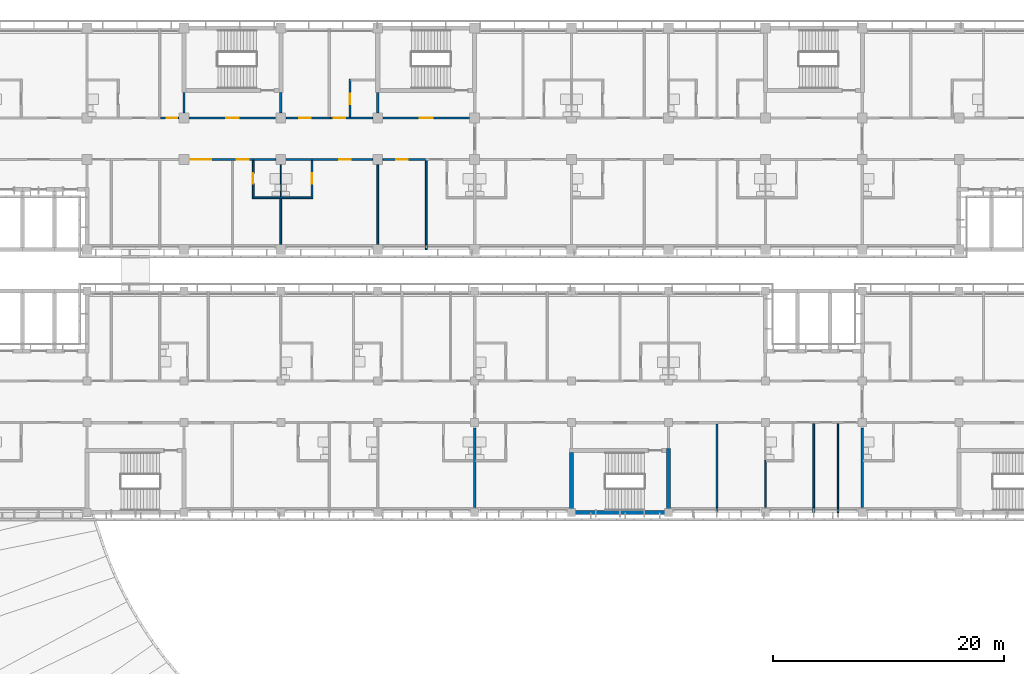
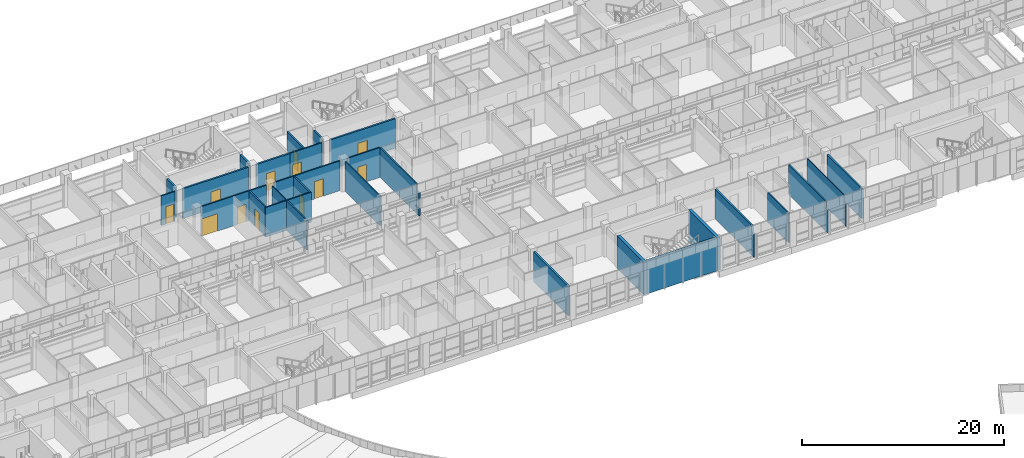
# One storey, part 34 of 74: 32 walls, 12 doors, 12 openings.
"""IFC4 building model written with IfcOpenShell, lengths in metres."""

from ifc_helpers import new_model, si_unit, direction, frame, frame_2d, origin, place, context, subcontext, project, spatial, rectangle, extrude, material, layer, layer_set, type_object, element, fill, save


model = new_model("IFC4")

# Units and contexts
model_context = context("Model", 3, precision=1e-05, world=origin(), true_north=direction((0.0, 1.0)))
body_context = subcontext(model_context, "Body", "Model", "MODEL_VIEW")
ifc_project = project(units=[si_unit("LENGTHUNIT", "METRE"), si_unit("AREAUNIT", "SQUARE_METRE"), si_unit("VOLUMEUNIT", "CUBIC_METRE"), si_unit("PLANEANGLEUNIT", "RADIAN"), si_unit("MASSUNIT", "GRAM", prefix="KILO")], contexts=[model_context])

# Site, building, storey
site_placement = place(None, origin())
site = spatial("IfcSite", under=ifc_project, at=site_placement, CompositionType="ELEMENT")
building_placement = place(site_placement, origin())
building = spatial("IfcBuilding", under=site, at=building_placement, Name="Bougainvillea Quay General Hospital", CompositionType="ELEMENT")
storey_placement = place(building_placement, frame((0.0, 0.0, 21.0)))
storey = spatial("IfcBuildingStorey", under=building, at=storey_placement, Name="L04", CompositionType="ELEMENT", Elevation=21.0)

# Walls
ifc_material_1 = material(Name="Gypsum board partition on steel studs", Category="steel")
ifc_layer_1 = layer(ifc_material_1, 0.10009765625)
ifc_layer_set_1 = layer_set([ifc_layer_1], Name="Gypsum board partition on steel studs")
wall_type_1 = type_object("IfcWallType", Name="Partition 100 Gypsum board partition", PredefinedType="PARTITIONING", material=ifc_layer_set_1)
wall_1_placement = place(storey_placement, frame((140.699951171875, 117.60009765625, 0.0), z_axis=(0.0, 0.0, 1.0), x_axis=(0.0, 1.0, 0.0)))
element("IfcWall", 1, at=wall_1_placement, inside=storey, type_object=wall_type_1, Name="Partition 100 mm", PredefinedType="PARTITIONING", context=body_context, shape_type="SweptSolid", body=[
    extrude(rectangle(XDim=0.449951171875, YDim=0.10009765625, at=frame_2d((0.22509765625, 0.0))), origin(), (0.0, 0.0, 1.0), 2.780029296875),
])
wall_2_placement = place(storey_placement, frame((140.699951171875, 118.050048828125, 0.0), z_axis=(0.0, 0.0, 1.0), x_axis=(0.0, 1.0, 0.0)))
element("IfcWall", 2, at=wall_2_placement, inside=storey, type_object=wall_type_1, Name="Partition 100 mm", PredefinedType="PARTITIONING", context=body_context, shape_type="SweptSolid", body=[
    extrude(rectangle(XDim=7.27490234375, YDim=0.10009765625, at=frame_2d((3.637451171875, 0.0))), origin(), (0.0, 0.0, 1.0), 3.60009765625),
])
wall_3_placement = place(storey_placement, frame((92.39990234375, 144.97509765625, 0.0), z_axis=(0.0, 0.0, 1.0), x_axis=(0.0, 1.0, 0.0)))
element("IfcWall", 3, at=wall_3_placement, inside=storey, type_object=wall_type_1, Name="Partition 100 mm", PredefinedType="PARTITIONING", context=body_context, shape_type="SweptSolid", body=[
    extrude(rectangle(XDim=2.77490234375, YDim=0.10009765625, at=frame_2d((1.387451171875, 0.0))), origin(), (0.0, 0.0, 1.0), 3.60009765625),
])
ifc_material_2 = material(Name="Gypsum board partition on steel studs, insulated", Category="steel")
ifc_layer_2 = layer(ifc_material_2, 0.14990234375)
ifc_layer_set_2 = layer_set([ifc_layer_2], Name="Gypsum board partition on steel studs, insulated")
wall_type_2 = type_object("IfcWallType", Name="Partition 150 Gypsum board partition", PredefinedType="PARTITIONING", material=ifc_layer_set_2)
wall_4_placement = place(storey_placement, frame((138.60009765625, 117.60009765625, 0.0), z_axis=(0.0, 0.0, 1.0), x_axis=(0.0, 1.0, 0.0)))
element("IfcWall", 4, at=wall_4_placement, inside=storey, type_object=wall_type_2, Name="Partition 150 mm", PredefinedType="PARTITIONING", context=body_context, shape_type="SweptSolid", body=[
    extrude(rectangle(XDim=0.449951171875, YDim=0.14990234375, at=frame_2d((0.22509765625, 0.0))), origin(), (0.0, 0.0, 1.0), 2.780029296875),
])
wall_5_placement = place(storey_placement, frame((138.60009765625, 118.050048828125, 0.0), z_axis=(0.0, 0.0, 1.0), x_axis=(0.0, 1.0, 0.0)))
element("IfcWall", 5, at=wall_5_placement, inside=storey, type_object=wall_type_2, Name="Partition 150 mm", PredefinedType="PARTITIONING", context=body_context, shape_type="SweptSolid", body=[
    extrude(rectangle(XDim=7.27490234375, YDim=0.14990234375, at=frame_2d((3.637451171875, 0.0))), origin(), (0.0, 0.0, 1.0), 3.60009765625),
])
wall_6_placement = place(storey_placement, frame((100.800048828125, 140.85009765625, 0.0), z_axis=(0.0, 0.0, 1.0), x_axis=(0.0, 1.0, 0.0)))
element("IfcWall", 6, at=wall_6_placement, inside=storey, type_object=wall_type_2, Name="Partition 150 mm", PredefinedType="PARTITIONING", context=body_context, shape_type="SweptSolid", body=[
    extrude(rectangle(XDim=6.89990234375, YDim=0.14990234375, at=frame_2d((3.449951171875, 0.0))), origin(), (0.0, 0.0, 1.0), 3.60009765625),
])
wall_7_placement = place(storey_placement, frame((105.0, 140.39990234375, 0.0), z_axis=(0.0, 0.0, 1.0), x_axis=(0.0, 1.0, 0.0)))
element("IfcWall", 7, at=wall_7_placement, inside=storey, type_object=wall_type_2, Name="Partition 150 mm", PredefinedType="PARTITIONING", context=body_context, shape_type="SweptSolid", body=[
    extrude(rectangle(XDim=0.4501953125, YDim=0.14990234375, at=frame_2d((0.22509765625, 0.0))), origin(), (0.0, 0.0, 1.0), 2.780029296875),
])
wall_8_placement = place(storey_placement, frame((105.0, 140.85009765625, 0.0), z_axis=(0.0, 0.0, 1.0), x_axis=(0.0, 1.0, 0.0)))
element("IfcWall", 8, at=wall_8_placement, inside=storey, type_object=wall_type_2, Name="Partition 150 mm", PredefinedType="PARTITIONING", context=body_context, shape_type="SweptSolid", body=[
    extrude(rectangle(XDim=7.27490234375, YDim=0.14990234375, at=frame_2d((3.637451171875, 0.0))), origin(), (0.0, 0.0, 1.0), 3.60009765625),
])
wall_9_placement = place(storey_placement, frame((89.925048828125, 144.89990234375, 0.0), z_axis=(0.0, 0.0, 1.0), x_axis=(1.0, 0.0, 0.0)))
element("IfcWall", 9, at=wall_9_placement, inside=storey, type_object=wall_type_2, Name="Partition 150 mm", PredefinedType="PARTITIONING", context=body_context, shape_type="SweptSolid", body=[
    extrude(rectangle(XDim=5.25, YDim=0.14990234375, at=frame_2d((2.625, 0.0))), origin(), (0.0, 0.0, 1.0), 3.60009765625),
])
wall_10_placement = place(storey_placement, frame((92.39990234375, 140.85009765625, 0.0), z_axis=(0.0, 0.0, 1.0), x_axis=(0.0, 1.0, 0.0)))
element("IfcWall", 10, at=wall_10_placement, inside=storey, type_object=wall_type_2, Name="Partition 150 mm", PredefinedType="PARTITIONING", context=body_context, shape_type="SweptSolid", body=[
    extrude(rectangle(XDim=3.974853515625, YDim=0.14990234375, at=frame_2d((1.9873046875, 0.0))), origin(), (0.0, 0.0, 1.0), 3.60009765625),
])
wall_11_placement = place(storey_placement, frame((134.39990234375, 118.050048828125, 0.0), z_axis=(0.0, 0.0, 1.0), x_axis=(0.0, 1.0, 0.0)))
element("IfcWall", 11, at=wall_11_placement, inside=storey, type_object=wall_type_2, Name="Partition 150 mm", PredefinedType="PARTITIONING", context=body_context, shape_type="SweptSolid", body=[
    extrude(rectangle(XDim=4.125, YDim=0.14990234375, at=frame_2d((2.0625, 0.0))), origin(), (0.0, 0.0, 1.0), 3.60009765625),
])

# Wall, opening, door
wall_12_placement = place(storey_placement, frame((90.0, 144.97509765625, 0.0), z_axis=(0.0, 0.0, 1.0), x_axis=(0.0, 1.0, 0.0)))
wall_12 = element("IfcWall", 12, at=wall_12_placement, inside=storey, type_object=wall_type_2, Name="Partition 150 mm", PredefinedType="PARTITIONING", context=body_context, shape_type="SweptSolid", body=[
    extrude(rectangle(XDim=3.14990234375, YDim=0.14990234375, at=frame_2d((1.574951171875, 0.0))), origin(), (0.0, 0.0, 1.0), 3.60009765625),
])
opening_1_placement = place(wall_12_placement, frame((1.125, 0.0, 0.0)))
opening_1 = element("IfcOpeningElement", 13, at=opening_1_placement, cuts=wall_12, Name="Opening L04.022", PredefinedType="OPENING", context=body_context, shape_type="SweptSolid", body=[
    extrude(rectangle(XDim=0.89990234375, YDim=2.10009765625, at=frame_2d((0.449951171875, 1.050048828125))), frame((0.0, 0.0849609375, 0.0), z_axis=(0.0, -1.0, 0.0), x_axis=(1.0, 0.0, 0.0)), (0.0, 0.0, 1.0), 0.169921875),
])
ifc_material_3 = material(Name="Solid-core timber door leaf in steel frame", Category="steel")
door_type_1 = type_object("IfcDoorType", Name="Single leaf door 900x2100", OperationType="NOTDEFINED", PredefinedType="DOOR", material=ifc_material_3)
door_1_placement = place(opening_1_placement, frame((0.89990234375, 0.0, 0.0), z_axis=(0.0, 0.0, 1.0), x_axis=(-1.0, 0.0, 0.0)))
door_1 = element("IfcDoor", 14, at=door_1_placement, inside=storey, type_object=door_type_1, Name="DT07 L04.022", OperationType="SINGLE_SWING_LEFT", OverallHeight=2.10009765625, OverallWidth=0.89990234375, PredefinedType="DOOR", context=body_context, shape_type="SweptSolid", body=[
    extrude(rectangle(XDim=0.89990234375, YDim=2.10009765625, at=frame_2d((0.449951171875, 1.050048828125))), frame((0.0, 0.02490234375, 0.0), z_axis=(0.0, -1.0, 0.0), x_axis=(1.0, 0.0, 0.0)), (0.0, 0.0, 1.0), 0.050048828125),
])
fill(opening_1, door_1)

wall_13_placement = place(storey_placement, frame((95.10009765625, 144.97509765625, 0.0), z_axis=(0.0, 0.0, 1.0), x_axis=(0.0, 1.0, 0.0)))
wall_13 = element("IfcWall", 15, at=wall_13_placement, inside=storey, type_object=wall_type_2, Name="Partition 150 mm", PredefinedType="PARTITIONING", context=body_context, shape_type="SweptSolid", body=[
    extrude(rectangle(XDim=3.14990234375, YDim=0.14990234375, at=frame_2d((1.574951171875, 0.0))), origin(), (0.0, 0.0, 1.0), 3.60009765625),
])
opening_2_placement = place(wall_13_placement, frame((1.125, 0.0, 0.0)))
opening_2 = element("IfcOpeningElement", 16, at=opening_2_placement, cuts=wall_13, Name="Opening L04.024", PredefinedType="OPENING", context=body_context, shape_type="SweptSolid", body=[
    extrude(rectangle(XDim=0.89990234375, YDim=2.10009765625, at=frame_2d((0.449951171875, 1.050048828125))), frame((0.0, 0.0849609375, 0.0), z_axis=(0.0, -1.0, 0.0), x_axis=(1.0, 0.0, 0.0)), (0.0, 0.0, 1.0), 0.169921875),
])
door_2_placement = place(opening_2_placement, origin())
door_2 = element("IfcDoor", 17, at=door_2_placement, inside=storey, type_object=door_type_1, Name="DT07 L04.024", OperationType="SINGLE_SWING_RIGHT", OverallHeight=2.10009765625, OverallWidth=0.89990234375, PredefinedType="DOOR", context=body_context, shape_type="SweptSolid", body=[
    extrude(rectangle(XDim=0.89990234375, YDim=2.10009765625, at=frame_2d((0.449951171875, 1.050048828125))), frame((0.0, 0.02490234375, 0.0), z_axis=(0.0, -1.0, 0.0), x_axis=(1.0, 0.0, 0.0)), (0.0, 0.0, 1.0), 0.050048828125),
])
fill(opening_2, door_2)

wall_14_placement = place(storey_placement, frame((98.39990234375, 151.875, 0.0), z_axis=(0.0, 0.0, 1.0), x_axis=(0.0, 1.0, 0.0)))
wall_14 = element("IfcWall", 18, at=wall_14_placement, inside=storey, type_object=wall_type_2, Name="Partition 150 mm", PredefinedType="PARTITIONING", context=body_context, shape_type="SweptSolid", body=[
    extrude(rectangle(XDim=3.300048828125, YDim=0.14990234375, at=frame_2d((1.64990234375, 0.0))), origin(), (0.0, 0.0, 1.0), 3.60009765625),
])
opening_3_placement = place(wall_14_placement, frame((1.125, 0.0, 0.0)))
opening_3 = element("IfcOpeningElement", 19, at=opening_3_placement, cuts=wall_14, Name="Opening L04.029", PredefinedType="OPENING", context=body_context, shape_type="SweptSolid", body=[
    extrude(rectangle(XDim=0.89990234375, YDim=2.10009765625, at=frame_2d((0.449951171875, 1.050048828125))), frame((0.0, 0.0849609375, 0.0), z_axis=(0.0, -1.0, 0.0), x_axis=(1.0, 0.0, 0.0)), (0.0, 0.0, 1.0), 0.169921875),
])
door_3_placement = place(opening_3_placement, frame((0.89990234375, 0.0, 0.0), z_axis=(0.0, 0.0, 1.0), x_axis=(-1.0, 0.0, 0.0)))
door_3 = element("IfcDoor", 20, at=door_3_placement, inside=storey, type_object=door_type_1, Name="DT07 L04.029", OperationType="SINGLE_SWING_RIGHT", OverallHeight=2.10009765625, OverallWidth=0.89990234375, PredefinedType="DOOR", context=body_context, shape_type="SweptSolid", body=[
    extrude(rectangle(XDim=0.89990234375, YDim=2.10009765625, at=frame_2d((0.449951171875, 1.050048828125))), frame((0.0, 0.02490234375, 0.0), z_axis=(0.0, -1.0, 0.0), x_axis=(1.0, 0.0, 0.0)), (0.0, 0.0, 1.0), 0.050048828125),
])
fill(opening_3, door_3)

ifc_layer_3 = layer(ifc_material_2, 0.14990234375)
ifc_layer_set_3 = layer_set([ifc_layer_3], Name="Gypsum board partition on steel studs, insulated")
wall_type_3 = type_object("IfcWallType", Name="Partition 150 Gypsum board partition EI 30", PredefinedType="PARTITIONING", material=ifc_layer_set_3)
wall_15_placement = place(storey_placement, frame((100.35009765625, 148.199951171875, 0.0), z_axis=(0.0, 0.0, 1.0), x_axis=(-1.0, 0.0, 0.0)))
wall_15 = element("IfcWall", 21, at=wall_15_placement, inside=storey, type_object=wall_type_3, Name="Partition 150 mm EI 30", PredefinedType="PARTITIONING", context=body_context, shape_type="SweptSolid", body=[
    extrude(rectangle(XDim=7.5, YDim=0.14990234375, at=frame_2d((3.75, 0.0))), origin(), (0.0, 0.0, 1.0), 3.60009765625),
])
opening_4_placement = place(wall_15_placement, frame((1.89990234375, 0.0, 0.0)))
opening_4 = element("IfcOpeningElement", 22, at=opening_4_placement, cuts=wall_15, Name="Opening L04.023", PredefinedType="OPENING", context=body_context, shape_type="SweptSolid", body=[
    extrude(rectangle(XDim=1.0, YDim=2.10009765625, at=frame_2d((0.5, 1.050048828125))), frame((0.0, 0.0849609375, 0.0), z_axis=(0.0, -1.0, 0.0), x_axis=(1.0, 0.0, 0.0)), (0.0, 0.0, 1.0), 0.169921875),
])
door_type_2 = type_object("IfcDoorType", Name="Single leaf door 1000x2100 FD30S", OperationType="NOTDEFINED", PredefinedType="DOOR", material=ifc_material_3)
door_4_placement = place(opening_4_placement, origin())
door_4 = element("IfcDoor", 23, at=door_4_placement, inside=storey, type_object=door_type_2, Name="DT15 L04.023", OperationType="SINGLE_SWING_LEFT", OverallHeight=2.10009765625, OverallWidth=1.0, PredefinedType="DOOR", context=body_context, shape_type="SweptSolid", body=[
    extrude(rectangle(XDim=1.0, YDim=2.10009765625, at=frame_2d((0.5, 1.050048828125))), frame((0.0, 0.02490234375, 0.0), z_axis=(0.0, -1.0, 0.0), x_axis=(1.0, 0.0, 0.0)), (0.0, 0.0, 1.0), 0.050048828125),
])
fill(opening_4, door_4)

# Wall, openings, doors
wall_16_placement = place(storey_placement, frame((91.949951171875, 148.199951171875, 0.0), z_axis=(0.0, 0.0, 1.0), x_axis=(-1.0, 0.0, 0.0)))
wall_16 = element("IfcWall", 24, at=wall_16_placement, inside=storey, type_object=wall_type_3, Name="Partition 150 mm EI 30", PredefinedType="PARTITIONING", context=body_context, shape_type="SweptSolid", body=[
    extrude(rectangle(XDim=7.5, YDim=0.14990234375, at=frame_2d((3.75, 0.0))), origin(), (0.0, 0.0, 1.0), 3.60009765625),
])
opening_5_placement = place(wall_16_placement, frame((5.60009765625, 0.0, 0.0)))
opening_5 = element("IfcOpeningElement", 25, at=opening_5_placement, cuts=wall_16, Name="Opening L04.020", PredefinedType="OPENING", context=body_context, shape_type="SweptSolid", body=[
    extrude(rectangle(XDim=1.800048828125, YDim=2.10009765625, at=frame_2d((0.89990234375, 1.050048828125))), frame((0.0, 0.0849609375, 0.0), z_axis=(0.0, -1.0, 0.0), x_axis=(1.0, 0.0, 0.0)), (0.0, 0.0, 1.0), 0.169921875),
])
opening_6_placement = place(wall_16_placement, frame((2.35009765625, 0.0, 0.0)))
opening_6 = element("IfcOpeningElement", 26, at=opening_6_placement, cuts=wall_16, Name="Opening L04.021", PredefinedType="OPENING", context=body_context, shape_type="SweptSolid", body=[
    extrude(rectangle(XDim=1.0, YDim=2.10009765625, at=frame_2d((0.5, 1.050048828125))), frame((0.0, 0.0849609375, 0.0), z_axis=(0.0, -1.0, 0.0), x_axis=(1.0, 0.0, 0.0)), (0.0, 0.0, 1.0), 0.169921875),
])
ifc_material_4 = material(Name="Solid-core timber door leaves in steel frame", Category="steel")
door_type_3 = type_object("IfcDoorType", Name="Double leaf door 1800x2100 FD30S", OperationType="DOUBLE_DOOR_SINGLE_SWING", PredefinedType="DOOR", material=ifc_material_4)
door_5_placement = place(opening_5_placement, origin())
door_5 = element("IfcDoor", 27, at=door_5_placement, inside=storey, type_object=door_type_3, Name="DT17 L04.020", OperationType="DOUBLE_DOOR_SINGLE_SWING", OverallHeight=2.10009765625, OverallWidth=1.800048828125, PredefinedType="DOOR", context=body_context, shape_type="SweptSolid", body=[
    extrude(rectangle(XDim=1.800048828125, YDim=2.10009765625, at=frame_2d((0.89990234375, 1.050048828125))), frame((0.0, 0.02490234375, 0.0), z_axis=(0.0, -1.0, 0.0), x_axis=(1.0, 0.0, 0.0)), (0.0, 0.0, 1.0), 0.050048828125),
])
fill(opening_5, door_5)
door_6_placement = place(opening_6_placement, origin())
door_6 = element("IfcDoor", 28, at=door_6_placement, inside=storey, type_object=door_type_2, Name="DT15 L04.021", OperationType="SINGLE_SWING_LEFT", OverallHeight=2.10009765625, OverallWidth=1.0, PredefinedType="DOOR", context=body_context, shape_type="SweptSolid", body=[
    extrude(rectangle(XDim=1.0, YDim=2.10009765625, at=frame_2d((0.5, 1.050048828125))), frame((0.0, 0.02490234375, 0.0), z_axis=(0.0, -1.0, 0.0), x_axis=(1.0, 0.0, 0.0)), (0.0, 0.0, 1.0), 0.050048828125),
])
fill(opening_6, door_6)

# Wall, opening, door
wall_17_placement = place(storey_placement, frame((96.699951171875, 151.800048828125, 0.0), z_axis=(0.0, 0.0, 1.0), x_axis=(1.0, 0.0, 0.0)))
wall_17 = element("IfcWall", 29, at=wall_17_placement, inside=storey, type_object=wall_type_3, Name="Partition 150 mm EI 30", PredefinedType="PARTITIONING", context=body_context, shape_type="SweptSolid", body=[
    extrude(rectangle(XDim=3.650146484375, YDim=0.14990234375, at=frame_2d((1.8251953125, 0.0))), origin(), (0.0, 0.0, 1.0), 3.60009765625),
])
opening_7_placement = place(wall_17_placement, frame((0.300048828125, 0.0, 0.0)))
opening_7 = element("IfcOpeningElement", 30, at=opening_7_placement, cuts=wall_17, Name="Opening L04.028", PredefinedType="OPENING", context=body_context, shape_type="SweptSolid", body=[
    extrude(rectangle(XDim=1.0, YDim=2.10009765625, at=frame_2d((0.5, 1.050048828125))), frame((0.0, 0.0849609375, 0.0), z_axis=(0.0, -1.0, 0.0), x_axis=(1.0, 0.0, 0.0)), (0.0, 0.0, 1.0), 0.169921875),
])
door_7_placement = place(opening_7_placement, origin())
door_7 = element("IfcDoor", 31, at=door_7_placement, inside=storey, type_object=door_type_2, Name="DT15 L04.028", OperationType="SINGLE_SWING_LEFT", OverallHeight=2.10009765625, OverallWidth=1.0, PredefinedType="DOOR", context=body_context, shape_type="SweptSolid", body=[
    extrude(rectangle(XDim=1.0, YDim=2.10009765625, at=frame_2d((0.5, 1.050048828125))), frame((0.0, 0.02490234375, 0.0), z_axis=(0.0, -1.0, 0.0), x_axis=(1.0, 0.0, 0.0)), (0.0, 0.0, 1.0), 0.050048828125),
])
fill(opening_7, door_7)

ifc_layer_4 = layer(ifc_material_2, 0.14990234375)
ifc_layer_set_4 = layer_set([ifc_layer_4], Name="Gypsum board partition on steel studs, insulated")
wall_type_4 = type_object("IfcWallType", Name="Partition 150 Gypsum board partition EI 60", PredefinedType="PARTITIONING", material=ifc_layer_set_4)
wall_18_placement = place(storey_placement, frame((101.25, 148.199951171875, 0.0), z_axis=(0.0, 0.0, 1.0), x_axis=(1.0, 0.0, 0.0)))
wall_18 = element("IfcWall", 32, at=wall_18_placement, inside=storey, type_object=wall_type_4, Name="Partition 150 mm EI 60", PredefinedType="PARTITIONING", context=body_context, shape_type="SweptSolid", body=[
    extrude(rectangle(XDim=3.675048828125, YDim=0.14990234375, at=frame_2d((1.83740234375, 0.0))), origin(), (0.0, 0.0, 1.0), 3.60009765625),
])
opening_8_placement = place(wall_18_placement, frame((1.14990234375, 0.0, 0.0)))
opening_8 = element("IfcOpeningElement", 33, at=opening_8_placement, cuts=wall_18, Name="Opening L04.025", PredefinedType="OPENING", context=body_context, shape_type="SweptSolid", body=[
    extrude(rectangle(XDim=1.0, YDim=2.10009765625, at=frame_2d((0.5, 1.050048828125))), frame((0.0, 0.0849609375, 0.0), z_axis=(0.0, -1.0, 0.0), x_axis=(1.0, 0.0, 0.0)), (0.0, 0.0, 1.0), 0.169921875),
])
door_type_4 = type_object("IfcDoorType", Name="Single leaf door 1000x2100 FD60", OperationType="NOTDEFINED", PredefinedType="DOOR", material=ifc_material_3)
door_8_placement = place(opening_8_placement, frame((1.0, 0.0, 0.0), z_axis=(0.0, 0.0, 1.0), x_axis=(-1.0, 0.0, 0.0)))
door_8 = element("IfcDoor", 34, at=door_8_placement, inside=storey, type_object=door_type_4, Name="DT14 L04.025", OperationType="SINGLE_SWING_RIGHT", OverallHeight=2.10009765625, OverallWidth=1.0, PredefinedType="DOOR", context=body_context, shape_type="SweptSolid", body=[
    extrude(rectangle(XDim=1.0, YDim=2.10009765625, at=frame_2d((0.5, 1.050048828125))), frame((0.0, 0.02490234375, 0.0), z_axis=(0.0, -1.0, 0.0), x_axis=(1.0, 0.0, 0.0)), (0.0, 0.0, 1.0), 0.050048828125),
])
fill(opening_8, door_8)

wall_19_placement = place(storey_placement, frame((81.97509765625, 151.800048828125, 0.0), z_axis=(0.0, 0.0, 1.0), x_axis=(1.0, 0.0, 0.0)))
wall_19 = element("IfcWall", 35, at=wall_19_placement, inside=storey, type_object=wall_type_4, Name="Partition 150 mm EI 60", PredefinedType="PARTITIONING", context=body_context, shape_type="SweptSolid", body=[
    extrude(rectangle(XDim=1.574951171875, YDim=0.14990234375, at=frame_2d((0.78759765625, 0.0))), origin(), (0.0, 0.0, 1.0), 3.60009765625),
])
opening_9_placement = place(wall_19_placement, frame((0.52490234375, 0.0, 0.0)))
opening_9 = element("IfcOpeningElement", 36, at=opening_9_placement, cuts=wall_19, Name="Opening L04.018", PredefinedType="OPENING", context=body_context, shape_type="SweptSolid", body=[
    extrude(rectangle(XDim=0.89990234375, YDim=2.10009765625, at=frame_2d((0.449951171875, 1.050048828125))), frame((0.0, 0.0849609375, 0.0), z_axis=(0.0, -1.0, 0.0), x_axis=(1.0, 0.0, 0.0)), (0.0, 0.0, 1.0), 0.169921875),
])
door_type_5 = type_object("IfcDoorType", Name="Single leaf door 900x2100 FD60", OperationType="NOTDEFINED", PredefinedType="DOOR", material=ifc_material_3)
door_9_placement = place(opening_9_placement, origin())
door_9 = element("IfcDoor", 37, at=door_9_placement, inside=storey, type_object=door_type_5, Name="DT18 L04.018", OperationType="SINGLE_SWING_RIGHT", OverallHeight=2.10009765625, OverallWidth=0.89990234375, PredefinedType="DOOR", context=body_context, shape_type="SweptSolid", body=[
    extrude(rectangle(XDim=0.89990234375, YDim=2.10009765625, at=frame_2d((0.449951171875, 1.050048828125))), frame((0.0, 0.02490234375, 0.0), z_axis=(0.0, -1.0, 0.0), x_axis=(1.0, 0.0, 0.0)), (0.0, 0.0, 1.0), 0.050048828125),
])
fill(opening_9, door_9)

# Walls
ifc_material_5 = material(Name="Fire-rated autoclaved aerated block wall, plastered")
ifc_layer_5 = layer(ifc_material_5, 0.199951171875)
ifc_layer_set_5 = layer_set([ifc_layer_5], Name="Fire-rated autoclaved aerated block wall, plastered")
wall_type_5 = type_object("IfcWallType", Name="Partition 200 Fire-rated autoclaved aerated block wall EI 120", PredefinedType="SOLIDWALL", material=ifc_layer_set_5)
for number, where, z_axis, x_axis, name in (
    (38, (109.199951171875, 124.949951171875, 0.0), (0.0, 0.0, 1.0), (0.0, -1.0, 0.0), "Partition 200 mm EI 120"),
    (39, (142.800048828125, 124.949951171875, 0.0), (0.0, 0.0, 1.0), (0.0, -1.0, 0.0), "Partition 200 mm EI 120"),
):
    element("IfcWall", number, at=place(storey_placement, frame(where, z_axis=z_axis, x_axis=x_axis)), inside=storey, type_object=wall_type_5, Name=name, PredefinedType="SOLIDWALL", context=body_context, shape_type="SweptSolid", body=[
        extrude(rectangle(XDim=6.89990234375, YDim=0.199951171875, at=frame_2d((3.449951171875, 0.0))), origin(), (0.0, 0.0, 1.0), 3.60009765625),
    ])

# Wall, opening, door
wall_20_placement = place(storey_placement, frame((84.449951171875, 151.800048828125, 0.0), z_axis=(0.0, 0.0, 1.0), x_axis=(1.0, 0.0, 0.0)))
wall_20 = element("IfcWall", 40, at=wall_20_placement, inside=storey, type_object=wall_type_5, Name="Partition 200 mm EI 120", PredefinedType="SOLIDWALL", context=body_context, shape_type="SweptSolid", body=[
    extrude(rectangle(XDim=7.5, YDim=0.199951171875, at=frame_2d((3.75, 0.0))), origin(), (0.0, 0.0, 1.0), 3.60009765625),
])
opening_10_placement = place(wall_20_placement, frame((3.199951171875, 0.0, 0.0)))
opening_10 = element("IfcOpeningElement", 41, at=opening_10_placement, cuts=wall_20, Name="Opening L04.144", PredefinedType="OPENING", context=body_context, shape_type="SweptSolid", body=[
    extrude(rectangle(XDim=1.10009765625, YDim=2.10009765625, at=frame_2d((0.550048828125, 1.050048828125))), frame((0.0, 0.10986328125, 0.0), z_axis=(0.0, -1.0, 0.0), x_axis=(1.0, 0.0, 0.0)), (0.0, 0.0, 1.0), 0.219970703125),
])
ifc_material_6 = material(Name="Steel fire door leaf in steel frame", Category="steel")
door_type_6 = type_object("IfcDoorType", Name="Steel single leaf door 1100x2100 FD60", OperationType="NOTDEFINED", PredefinedType="DOOR", material=ifc_material_6)
door_10_placement = place(opening_10_placement, origin())
door_10 = element("IfcDoor", 42, at=door_10_placement, inside=storey, type_object=door_type_6, Name="DT04 L04.144", OperationType="SINGLE_SWING_RIGHT", OverallHeight=2.10009765625, OverallWidth=1.10009765625, PredefinedType="DOOR", context=body_context, shape_type="SweptSolid", body=[
    extrude(rectangle(XDim=1.10009765625, YDim=2.10009765625, at=frame_2d((0.550048828125, 1.050048828125))), frame((0.0, 0.02490234375, 0.0), z_axis=(0.0, -1.0, 0.0), x_axis=(1.0, 0.0, 0.0)), (0.0, 0.0, 1.0), 0.050048828125),
])
fill(opening_10, door_10)

wall_21_placement = place(storey_placement, frame((92.85009765625, 151.800048828125, 0.0), z_axis=(0.0, 0.0, 1.0), x_axis=(1.0, 0.0, 0.0)))
wall_21 = element("IfcWall", 43, at=wall_21_placement, inside=storey, type_object=wall_type_5, Name="Partition 200 mm EI 120", PredefinedType="SOLIDWALL", context=body_context, shape_type="SweptSolid", body=[
    extrude(rectangle(XDim=3.849853515625, YDim=0.199951171875, at=frame_2d((1.9248046875, 0.0))), origin(), (0.0, 0.0, 1.0), 3.60009765625),
])
opening_11_placement = place(wall_21_placement, frame((1.14990234375, 0.0, 0.0)))
opening_11 = element("IfcOpeningElement", 44, at=opening_11_placement, cuts=wall_21, Name="Opening L04.070", PredefinedType="OPENING", context=body_context, shape_type="SweptSolid", body=[
    extrude(rectangle(XDim=1.0, YDim=2.10009765625, at=frame_2d((0.5, 1.050048828125))), frame((0.0, 0.10986328125, 0.0), z_axis=(0.0, -1.0, 0.0), x_axis=(1.0, 0.0, 0.0)), (0.0, 0.0, 1.0), 0.219970703125),
])
door_type_7 = type_object("IfcDoorType", Name="Steel single leaf door 1000x2100 FD90", OperationType="NOTDEFINED", PredefinedType="DOOR", material=ifc_material_6)
door_11_placement = place(opening_11_placement, origin())
door_11 = element("IfcDoor", 45, at=door_11_placement, inside=storey, type_object=door_type_7, Name="DT11 L04.070", OperationType="SINGLE_SWING_LEFT", OverallHeight=2.10009765625, OverallWidth=1.0, PredefinedType="DOOR", context=body_context, shape_type="SweptSolid", body=[
    extrude(rectangle(XDim=1.0, YDim=2.10009765625, at=frame_2d((0.5, 1.050048828125))), frame((0.0, 0.02490234375, 0.0), z_axis=(0.0, -1.0, 0.0), x_axis=(1.0, 0.0, 0.0)), (0.0, 0.0, 1.0), 0.050048828125),
])
fill(opening_11, door_11)

# Wall
wall_22_placement = place(storey_placement, frame((92.39990234375, 152.25, 0.0), z_axis=(0.0, 0.0, 1.0), x_axis=(0.0, 1.0, 0.0)))
element("IfcWall", 46, at=wall_22_placement, inside=storey, type_object=wall_type_5, Name="Partition 200 mm EI 120", PredefinedType="SOLIDWALL", context=body_context, shape_type="SweptSolid", body=[
    extrude(rectangle(XDim=1.77490234375, YDim=0.199951171875, at=frame_2d((0.887451171875, 0.0))), origin(), (0.0, 0.0, 1.0), 3.60009765625),
])

# Wall, opening, door
wall_23_placement = place(storey_placement, frame((101.25, 151.800048828125, 0.0), z_axis=(0.0, 0.0, 1.0), x_axis=(1.0, 0.0, 0.0)))
wall_23 = element("IfcWall", 47, at=wall_23_placement, inside=storey, type_object=wall_type_5, Name="Partition 200 mm EI 120", PredefinedType="SOLIDWALL", context=body_context, shape_type="SweptSolid", body=[
    extrude(rectangle(XDim=7.5, YDim=0.199951171875, at=frame_2d((3.75, 0.0))), origin(), (0.0, 0.0, 1.0), 3.60009765625),
])
opening_12_placement = place(wall_23_placement, frame((3.199951171875, 0.0, 0.0)))
opening_12 = element("IfcOpeningElement", 48, at=opening_12_placement, cuts=wall_23, Name="Opening L04.158", PredefinedType="OPENING", context=body_context, shape_type="SweptSolid", body=[
    extrude(rectangle(XDim=1.10009765625, YDim=2.10009765625, at=frame_2d((0.550048828125, 1.050048828125))), frame((0.0, 0.10986328125, 0.0), z_axis=(0.0, -1.0, 0.0), x_axis=(1.0, 0.0, 0.0)), (0.0, 0.0, 1.0), 0.219970703125),
])
door_12_placement = place(opening_12_placement, origin())
door_12 = element("IfcDoor", 49, at=door_12_placement, inside=storey, type_object=door_type_6, Name="DT04 L04.158", OperationType="SINGLE_SWING_RIGHT", OverallHeight=2.10009765625, OverallWidth=1.10009765625, PredefinedType="DOOR", context=body_context, shape_type="SweptSolid", body=[
    extrude(rectangle(XDim=1.10009765625, YDim=2.10009765625, at=frame_2d((0.550048828125, 1.050048828125))), frame((0.0, 0.02490234375, 0.0), z_axis=(0.0, -1.0, 0.0), x_axis=(1.0, 0.0, 0.0)), (0.0, 0.0, 1.0), 0.050048828125),
])
fill(opening_12, door_12)

# Walls
wall_24_placement = place(storey_placement, frame((130.199951171875, 117.60009765625, 0.0), z_axis=(0.0, 0.0, 1.0), x_axis=(0.0, 1.0, 0.0)))
element("IfcWall", 50, at=wall_24_placement, inside=storey, type_object=wall_type_5, Name="Partition 200 mm EI 120", PredefinedType="SOLIDWALL", context=body_context, shape_type="SweptSolid", body=[
    extrude(rectangle(XDim=0.449951171875, YDim=0.199951171875, at=frame_2d((0.22509765625, 0.0))), origin(), (0.0, 0.0, 1.0), 2.780029296875),
])
wall_25_placement = place(storey_placement, frame((130.199951171875, 118.050048828125, 0.0), z_axis=(0.0, 0.0, 1.0), x_axis=(0.0, 1.0, 0.0)))
element("IfcWall", 51, at=wall_25_placement, inside=storey, type_object=wall_type_5, Name="Partition 200 mm EI 120", PredefinedType="SOLIDWALL", context=body_context, shape_type="SweptSolid", body=[
    extrude(rectangle(XDim=7.25, YDim=0.199951171875, at=frame_2d((3.625, 0.0))), origin(), (0.0, 0.0, 1.0), 3.60009765625),
])
for number, where, z_axis, x_axis, name in (
    (52, (84.0, 152.25, 0.0), (0.0, 0.0, 1.0), (0.0, 1.0, 0.0), "Partition 200 mm EI 120"),
    (53, (100.800048828125, 152.25, 0.0), (0.0, 0.0, 1.0), (0.0, 1.0, 0.0), "Partition 200 mm EI 120"),
):
    element("IfcWall", number, at=place(storey_placement, frame(where, z_axis=z_axis, x_axis=x_axis)), inside=storey, type_object=wall_type_5, Name=name, PredefinedType="SOLIDWALL", context=body_context, shape_type="SweptSolid", body=[
        extrude(rectangle(XDim=1.77490234375, YDim=0.199951171875, at=frame_2d((0.887451171875, 0.0))), origin(), (0.0, 0.0, 1.0), 3.60009765625),
    ])
ifc_material_7 = material(Name="Concrete C40", Category="concrete")
ifc_layer_6 = layer(ifc_material_7, 0.35009765625)
ifc_layer_set_6 = layer_set([ifc_layer_6], Name="Concrete C40")
wall_type_6 = type_object("IfcWallType", Name="RC SHEAR WALL 350 C40", PredefinedType="SHEAR", material=ifc_layer_set_6)
wall_26_placement = place(storey_placement, frame((117.60009765625, 117.425048828125, 0.0), z_axis=(0.0, 0.0, 1.0), x_axis=(0.0, 1.0, 0.0)))
element("IfcWall", 54, at=wall_26_placement, inside=storey, type_object=wall_type_6, Name="Shear wall L04", PredefinedType="SHEAR", context=body_context, shape_type="SweptSolid", body=[
    extrude(rectangle(XDim=5.39990234375, YDim=0.35009765625, at=frame_2d((2.699951171875, 0.0))), origin(), (0.0, 0.0, 1.0), 3.89990234375),
])
wall_27_placement = place(storey_placement, frame((117.77490234375, 117.60009765625, 0.0), z_axis=(0.0, 0.0, 1.0), x_axis=(1.0, 0.0, 0.0)))
element("IfcWall", 55, at=wall_27_placement, inside=storey, type_object=wall_type_6, Name="Shear wall L04", PredefinedType="SHEAR", context=body_context, shape_type="SweptSolid", body=[
    extrude(rectangle(XDim=8.050048828125, YDim=0.35009765625, at=frame_2d((4.02490234375, 0.0))), origin(), (0.0, 0.0, 1.0), 3.89990234375),
])
wall_28_placement = place(storey_placement, frame((126.0, 117.425048828125, 0.0), z_axis=(0.0, 0.0, 1.0), x_axis=(0.0, 1.0, 0.0)))
element("IfcWall", 56, at=wall_28_placement, inside=storey, type_object=wall_type_6, Name="Shear wall L04", PredefinedType="SHEAR", context=body_context, shape_type="SweptSolid", body=[
    extrude(rectangle(XDim=5.75, YDim=0.35009765625, at=frame_2d((2.875, 0.0))), origin(), (0.0, 0.0, 1.0), 3.89990234375),
])

save(model, "model.ifc")
